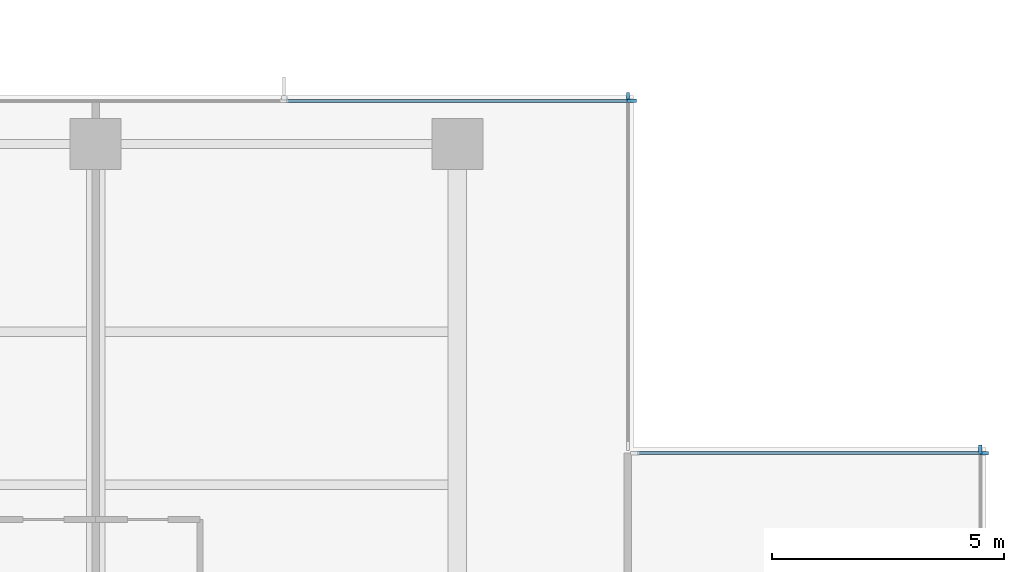
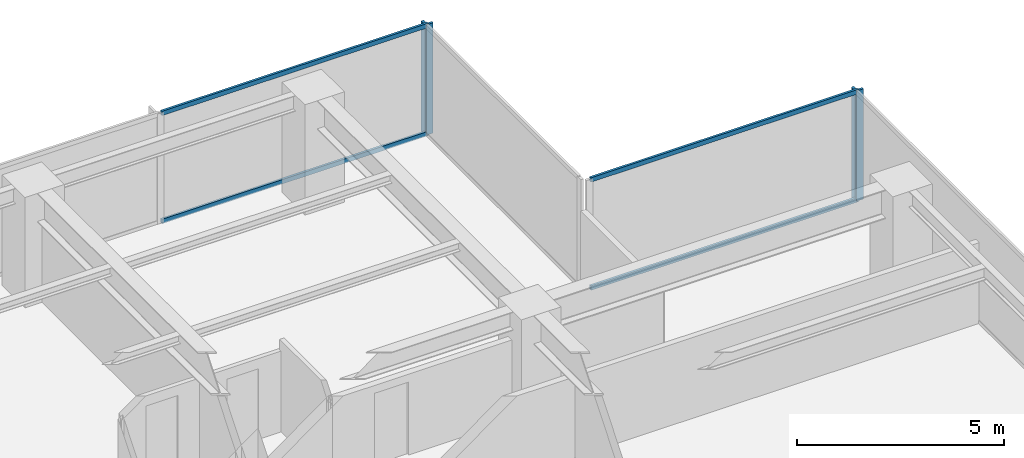
# One storey, part 5 of 14: 8 members, 4 elements without a shape of their own.
"""IFC4 building model written with IfcOpenShell, lengths in metres."""

from ifc_helpers import new_model, si_unit, direction, frame, origin, origin_2d, place, context, subcontext, project, spatial, rectangle, extrude, material, layer, layer_set, material_profile, profile_set, type_object, element, aggregate, save


model = new_model("IFC4")

# Units and contexts
model_context = context("Model", 3, precision=1e-05, world=origin(), true_north=direction((0.0, 1.0)))
body_context = subcontext(model_context, "Body", "Model", "MODEL_VIEW")
ifc_project = project(units=[si_unit("LENGTHUNIT", "METRE"), si_unit("AREAUNIT", "SQUARE_METRE"), si_unit("VOLUMEUNIT", "CUBIC_METRE"), si_unit("PLANEANGLEUNIT", "RADIAN"), si_unit("MASSUNIT", "GRAM", prefix="KILO")], contexts=[model_context])

# Site, building, storey
site_placement = place(None, origin())
site = spatial("IfcSite", under=ifc_project, at=site_placement, CompositionType="ELEMENT")
building_placement = place(site_placement, origin())
building = spatial("IfcBuilding", under=site, at=building_placement, Name="Qalmaran Belvedere Hotel", CompositionType="ELEMENT")
storey_placement = place(building_placement, frame((0.0, 0.0, 166.60009765625)))
storey = spatial("IfcBuildingStorey", under=building, at=storey_placement, Name="L42", CompositionType="ELEMENT", Elevation=166.60009765625)

# Curtain wall, member
ifc_material = material(Name="Anodised Bronze Aluminium", Category="aluminium")
ifc_layer = layer(ifc_material, 0.195068359375, Name="Anodised Bronze Aluminium")
ifc_layer_set = layer_set([ifc_layer], Name="Anodised Bronze Aluminium")
curtain_wall_type = type_object("IfcCurtainWallType", Name="CW4-TOWER-HIGHMID", PredefinedType="NOTDEFINED", material=ifc_layer_set)
curtain_wall_1_placement = place(storey_placement, origin())
curtain_wall_1 = element("IfcCurtainWall", 1, at=curtain_wall_1_placement, inside=storey, type_object=curtain_wall_type, Name="L42 Curtain Wall CW4", PredefinedType="NOTDEFINED")
ifc_material_profile_1 = material_profile(ifc_material, rectangle(XDim=0.070068359375, YDim=0.18994140625, at=origin_2d()), Name="CWM70X190")
ifc_profile_set_1 = profile_set([ifc_material_profile_1], Name="Anodised Bronze Aluminium")
member_type_1 = type_object("IfcMemberType", Name="CWM-70X190", PredefinedType="MULLION", material=ifc_profile_set_1)
member_1_placement = place(storey_placement, frame((56.080078125, 36.864990234375, 0.0), z_axis=(0.0, 0.0, 1.0), x_axis=(-1.0, 0.0, 0.0)))
member_1 = element("IfcMember", 2, at=member_1_placement, type_object=member_type_1, Name="CW4 mullion 4", PredefinedType="MULLION", context=body_context, shape_type="SweptSolid", body=[
    extrude(rectangle(XDim=0.070068359375, YDim=0.18994140625, at=origin_2d()), origin(), (0.0, 0.0, 1.0), 3.25),
])
aggregate(curtain_wall_1, [member_1])

curtain_wall_2_placement = place(storey_placement, origin())
curtain_wall_2 = element("IfcCurtainWall", 3, at=curtain_wall_2_placement, inside=storey, type_object=curtain_wall_type, Name="L42 Curtain Wall CW4", PredefinedType="NOTDEFINED")
member_2_placement = place(storey_placement, frame((56.1650390625, 36.780029296875, 0.0), z_axis=(0.0, 0.0, 1.0), x_axis=(0.0, -1.0, 0.0)))
member_2 = element("IfcMember", 4, at=member_2_placement, type_object=member_type_1, Name="CW4 mullion 1", PredefinedType="MULLION", context=body_context, shape_type="SweptSolid", body=[
    extrude(rectangle(XDim=0.070068359375, YDim=0.18994140625, at=origin_2d()), origin(), (0.0, 0.0, 1.0), 3.25),
])

curtain_wall_3_placement = place(storey_placement, origin())
curtain_wall_3 = element("IfcCurtainWall", 5, at=curtain_wall_3_placement, inside=storey, type_object=curtain_wall_type, Name="L42 Curtain Wall CW4", PredefinedType="NOTDEFINED")
member_3_placement = place(storey_placement, frame((48.47998046875, 44.465087890625, 0.0), z_axis=(0.0, 0.0, 1.0), x_axis=(-1.0, 0.0, 0.0)))
member_3 = element("IfcMember", 6, at=member_3_placement, type_object=member_type_1, Name="CW4 mullion 2", PredefinedType="MULLION", context=body_context, shape_type="SweptSolid", body=[
    extrude(rectangle(XDim=0.070068359375, YDim=0.18994140625, at=origin_2d()), origin(), (0.0, 0.0, 1.0), 3.25),
])
aggregate(curtain_wall_3, [member_3])

curtain_wall_4_placement = place(storey_placement, origin())
curtain_wall_4 = element("IfcCurtainWall", 7, at=curtain_wall_4_placement, inside=storey, type_object=curtain_wall_type, Name="L42 Curtain Wall CW4", PredefinedType="NOTDEFINED")
member_4_placement = place(storey_placement, frame((48.56494140625, 44.3798828125, 0.0), z_axis=(0.0, 0.0, 1.0), x_axis=(0.0, -1.0, 0.0)))
member_4 = element("IfcMember", 8, at=member_4_placement, type_object=member_type_1, Name="CW4 mullion 1", PredefinedType="MULLION", context=body_context, shape_type="SweptSolid", body=[
    extrude(rectangle(XDim=0.070068359375, YDim=0.18994140625, at=origin_2d()), origin(), (0.0, 0.0, 1.0), 3.25),
])

# Member
ifc_material_profile_2 = material_profile(ifc_material, rectangle(XDim=0.06494140625, YDim=0.1298828125, at=origin_2d()), Name="CWT65X130")
ifc_profile_set_2 = profile_set([ifc_material_profile_2], Name="Anodised Bronze Aluminium")
member_type_2 = type_object("IfcMemberType", Name="CWT-65X130", PredefinedType="USERDEFINED", material=ifc_profile_set_2)
member_5_placement = place(storey_placement, frame((56.1298828125, 36.780029296875, 0.032470703125), z_axis=(-1.0, 0.0, 0.0), x_axis=(0.0, -1.0, 0.0)))
member_5 = element("IfcMember", 9, at=member_5_placement, type_object=member_type_2, Name="CW4 transom 1.1", ObjectType="TRANSOM", PredefinedType="USERDEFINED", context=body_context, shape_type="SweptSolid", body=[
    extrude(rectangle(XDim=0.06494140625, YDim=0.1298828125, at=origin_2d()), origin(), (0.0, 0.0, 1.0), 7.4599609375),
])

member_6_placement = place(storey_placement, frame((56.1298828125, 36.780029296875, 3.21728515625), z_axis=(-1.0, 0.0, 0.0), x_axis=(0.0, -1.0, 0.0)))
member_6 = element("IfcMember", 10, at=member_6_placement, type_object=member_type_2, Name="CW4 transom 1.2", ObjectType="TRANSOM", PredefinedType="USERDEFINED", context=body_context, shape_type="SweptSolid", body=[
    extrude(rectangle(XDim=0.06494140625, YDim=0.1298828125, at=origin_2d()), origin(), (0.0, 0.0, 1.0), 7.4599609375),
])

aggregate(curtain_wall_2, [member_2, member_5, member_6])

member_7_placement = place(storey_placement, frame((48.530029296875, 44.3798828125, 0.032470703125), z_axis=(-1.0, 0.0, 0.0), x_axis=(0.0, -1.0, 0.0)))
member_7 = element("IfcMember", 11, at=member_7_placement, type_object=member_type_2, Name="CW4 transom 1.1", ObjectType="TRANSOM", PredefinedType="USERDEFINED", context=body_context, shape_type="SweptSolid", body=[
    extrude(rectangle(XDim=0.06494140625, YDim=0.1298828125, at=origin_2d()), origin(), (0.0, 0.0, 1.0), 7.428466796875),
])

member_8_placement = place(storey_placement, frame((48.530029296875, 44.3798828125, 3.21728515625), z_axis=(-1.0, 0.0, 0.0), x_axis=(0.0, -1.0, 0.0)))
member_8 = element("IfcMember", 12, at=member_8_placement, type_object=member_type_2, Name="CW4 transom 1.2", ObjectType="TRANSOM", PredefinedType="USERDEFINED", context=body_context, shape_type="SweptSolid", body=[
    extrude(rectangle(XDim=0.06494140625, YDim=0.1298828125, at=origin_2d()), origin(), (0.0, 0.0, 1.0), 7.428466796875),
])

aggregate(curtain_wall_4, [member_4, member_7, member_8])

save(model, "model.ifc")
